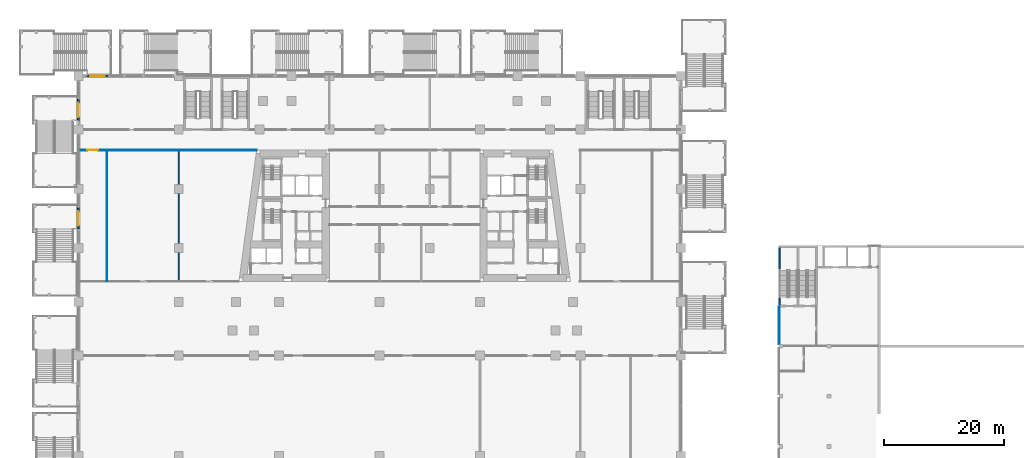
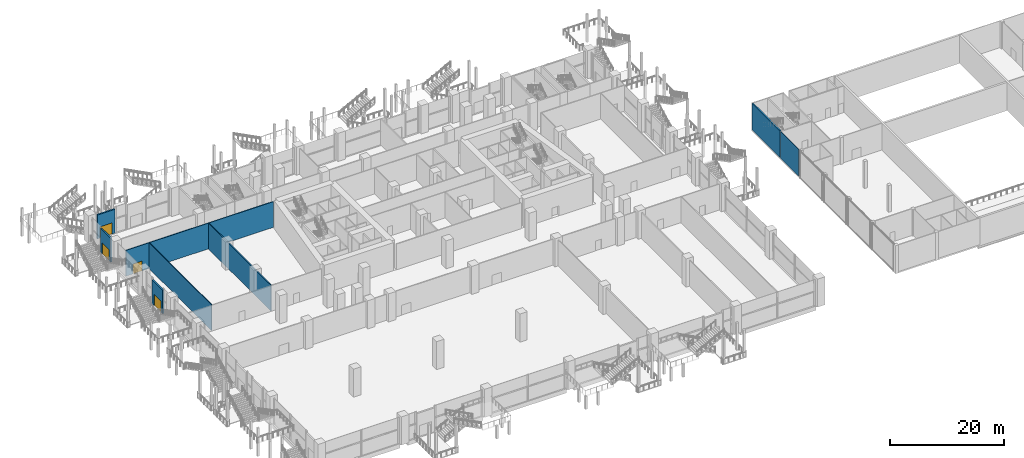
# One storey, part 25 of 49: 8 walls, 4 doors, 4 openings.
"""IFC4 building model written with IfcOpenShell, lengths in metres."""

from ifc_helpers import new_model, si_unit, direction, frame, frame_2d, origin, place, context, subcontext, project, spatial, rectangle, extrude, material, layer, layer_set, type_object, element, fill, save


model = new_model("IFC4")

# Units and contexts
model_context = context("Model", 3, precision=1e-05, world=origin(), true_north=direction((0.0, 1.0)))
body_context = subcontext(model_context, "Body", "Model", "MODEL_VIEW")
ifc_project = project(units=[si_unit("LENGTHUNIT", "METRE"), si_unit("AREAUNIT", "SQUARE_METRE"), si_unit("VOLUMEUNIT", "CUBIC_METRE"), si_unit("PLANEANGLEUNIT", "RADIAN"), si_unit("MASSUNIT", "GRAM", prefix="KILO")], contexts=[model_context])

# Site, building, storey
site_placement = place(None, origin())
site = spatial("IfcSite", under=ifc_project, at=site_placement, CompositionType="ELEMENT")
building_placement = place(site_placement, origin())
building = spatial("IfcBuilding", under=site, at=building_placement, Name="Candeia Pilgrim Tower and Theatre", CompositionType="ELEMENT")
storey_placement = place(building_placement, frame((0.0, 0.0, 17.0)))
storey = spatial("IfcBuildingStorey", under=building, at=storey_placement, Name="L02", CompositionType="ELEMENT", Elevation=17.0)

# Wall, opening, door
ifc_material_1 = material(Name="Ceramic block masonry", Category="masonry")
ifc_layer_1 = layer(ifc_material_1, 0.300048828125)
ifc_layer_set_1 = layer_set([ifc_layer_1], Name="EW2 entrance infill wall 300")
wall_type_1 = type_object("IfcWallType", Name="EW2 entrance infill wall 300", PredefinedType="SOLIDWALL", material=ifc_layer_set_1)
wall_1_placement = place(storey_placement, frame((58.800048828125, 119.14990234375, 0.0), z_axis=(0.0, 0.0, 1.0), x_axis=(0.0, 1.0, 0.0)))
wall_1 = element("IfcWall", 1, at=wall_1_placement, inside=storey, type_object=wall_type_1, Name="Entrance wall L02", PredefinedType="SOLIDWALL", context=body_context, shape_type="SweptSolid", body=[
    extrude(rectangle(XDim=3.60009765625, YDim=0.300048828125, at=frame_2d((1.800048828125, 0.0))), origin(), (0.0, 0.0, 1.0), 5.10009765625),
])
opening_1_placement = place(wall_1_placement, frame((0.60009765625, 0.0, 0.0)))
opening_1 = element("IfcOpeningElement", 2, at=opening_1_placement, cuts=wall_1, Name="Opening L02-ED046", PredefinedType="OPENING", context=body_context, shape_type="SweptSolid", body=[
    extrude(rectangle(XDim=2.39990234375, YDim=2.39990234375, at=frame_2d((1.199951171875, 1.199951171875))), frame((0.0, 0.16015625, 0.0), z_axis=(0.0, -1.0, 0.0), x_axis=(1.0, 0.0, 0.0)), (0.0, 0.0, 1.0), 0.320068359375),
])
ifc_material_2 = material(Name="Aluminium framed glazed door", Category="aluminium")
door_type_1 = type_object("IfcDoorType", Name="ED entrance double door 2400x2400", OperationType="DOUBLE_DOOR_DOUBLE_SWING", PredefinedType="DOOR", material=ifc_material_2)
door_1_placement = place(opening_1_placement, origin())
door_1 = element("IfcDoor", 3, at=door_1_placement, inside=storey, type_object=door_type_1, Name="Entrance door L02-ED046", OperationType="DOUBLE_DOOR_DOUBLE_SWING", OverallHeight=2.39990234375, OverallWidth=2.39990234375, PredefinedType="DOOR", context=body_context, shape_type="SweptSolid", body=[
    extrude(rectangle(XDim=2.39990234375, YDim=2.39990234375, at=frame_2d((1.199951171875, 1.199951171875))), frame((0.0, 0.02490234375, 0.0), z_axis=(0.0, -1.0, 0.0), x_axis=(1.0, 0.0, 0.0)), (0.0, 0.0, 1.0), 0.050048828125),
])
fill(opening_1, door_1)

wall_2_placement = place(storey_placement, frame((58.800048828125, 137.300048828125, 0.0), z_axis=(0.0, 0.0, 1.0), x_axis=(0.0, 1.0, 0.0)))
wall_2 = element("IfcWall", 4, at=wall_2_placement, inside=storey, type_object=wall_type_1, Name="Entrance wall L02", PredefinedType="SOLIDWALL", context=body_context, shape_type="SweptSolid", body=[
    extrude(rectangle(XDim=3.599853515625, YDim=0.300048828125, at=frame_2d((1.7998046875, 0.0))), origin(), (0.0, 0.0, 1.0), 5.10009765625),
])
opening_2_placement = place(wall_2_placement, frame((0.60009765625, 0.0, 0.0)))
opening_2 = element("IfcOpeningElement", 5, at=opening_2_placement, cuts=wall_2, Name="Opening L02-ED047", PredefinedType="OPENING", context=body_context, shape_type="SweptSolid", body=[
    extrude(rectangle(XDim=2.39990234375, YDim=2.39990234375, at=frame_2d((1.199951171875, 1.199951171875))), frame((0.0, 0.16015625, 0.0), z_axis=(0.0, -1.0, 0.0), x_axis=(1.0, 0.0, 0.0)), (0.0, 0.0, 1.0), 0.320068359375),
])
door_2_placement = place(opening_2_placement, origin())
door_2 = element("IfcDoor", 6, at=door_2_placement, inside=storey, type_object=door_type_1, Name="Entrance door L02-ED047", OperationType="DOUBLE_DOOR_DOUBLE_SWING", OverallHeight=2.39990234375, OverallWidth=2.39990234375, PredefinedType="DOOR", context=body_context, shape_type="SweptSolid", body=[
    extrude(rectangle(XDim=2.39990234375, YDim=2.39990234375, at=frame_2d((1.199951171875, 1.199951171875))), frame((0.0, 0.02490234375, 0.0), z_axis=(0.0, -1.0, 0.0), x_axis=(1.0, 0.0, 0.0)), (0.0, 0.0, 1.0), 0.050048828125),
])
fill(opening_2, door_2)

wall_3_placement = place(storey_placement, frame((60.199951171875, 144.800048828125, 0.0), z_axis=(0.0, 0.0, 1.0), x_axis=(1.0, 0.0, 0.0)))
wall_3 = element("IfcWall", 7, at=wall_3_placement, inside=storey, type_object=wall_type_1, Name="Entrance wall L02", PredefinedType="SOLIDWALL", context=body_context, shape_type="SweptSolid", body=[
    extrude(rectangle(XDim=3.60009765625, YDim=0.300048828125, at=frame_2d((1.800048828125, 0.0))), origin(), (0.0, 0.0, 1.0), 5.10009765625),
])
opening_3_placement = place(wall_3_placement, frame((0.60009765625, 0.0, 0.0)))
opening_3 = element("IfcOpeningElement", 8, at=opening_3_placement, cuts=wall_3, Name="Opening L02-ED048", PredefinedType="OPENING", context=body_context, shape_type="SweptSolid", body=[
    extrude(rectangle(XDim=2.39990234375, YDim=2.39990234375, at=frame_2d((1.199951171875, 1.199951171875))), frame((0.0, 0.16015625, 0.0), z_axis=(0.0, -1.0, 0.0), x_axis=(1.0, 0.0, 0.0)), (0.0, 0.0, 1.0), 0.320068359375),
])
door_3_placement = place(opening_3_placement, origin())
door_3 = element("IfcDoor", 9, at=door_3_placement, inside=storey, type_object=door_type_1, Name="Entrance door L02-ED048", OperationType="DOUBLE_DOOR_DOUBLE_SWING", OverallHeight=2.39990234375, OverallWidth=2.39990234375, PredefinedType="DOOR", context=body_context, shape_type="SweptSolid", body=[
    extrude(rectangle(XDim=2.39990234375, YDim=2.39990234375, at=frame_2d((1.199951171875, 1.199951171875))), frame((0.0, 0.02490234375, 0.0), z_axis=(0.0, -1.0, 0.0), x_axis=(1.0, 0.0, 0.0)), (0.0, 0.0, 1.0), 0.050048828125),
])
fill(opening_3, door_3)

ifc_material_3 = material(Name="Gypsum board partition on steel studs", Category="steel")
ifc_layer_2 = layer(ifc_material_3, 0.14990234375)
ifc_layer_set_2 = layer_set([ifc_layer_2], Name="PW-150 unit wall")
wall_type_2 = type_object("IfcWallType", Name="PW-150 unit wall", PredefinedType="PARTITIONING", material=ifc_layer_set_2)
wall_4_placement = place(storey_placement, frame((58.85009765625, 132.39990234375, 0.0), z_axis=(0.0, 0.0, 1.0), x_axis=(1.0, 0.0, 0.0)))
wall_4 = element("IfcWall", 10, at=wall_4_placement, inside=storey, type_object=wall_type_2, Name="Unit wall L02-032", PredefinedType="PARTITIONING", context=body_context, shape_type="SweptSolid", body=[
    extrude(rectangle(XDim=29.781005859375, YDim=0.14990234375, at=frame_2d((14.890625, 0.0))), origin(), (0.0, 0.0, 1.0), 5.5),
])
opening_4_placement = place(wall_4_placement, frame((1.449951171875, 0.0, 0.0)))
opening_4 = element("IfcOpeningElement", 11, at=opening_4_placement, cuts=wall_4, Name="Opening L02-D027", PredefinedType="OPENING", context=body_context, shape_type="SweptSolid", body=[
    extrude(rectangle(XDim=1.800048828125, YDim=2.10009765625, at=frame_2d((0.89990234375, 1.050048828125))), frame((0.0, 0.0849609375, 0.0), z_axis=(0.0, -1.0, 0.0), x_axis=(1.0, 0.0, 0.0)), (0.0, 0.0, 1.0), 0.169921875),
])
ifc_material_4 = material(Name="Steel fire door set", Category="steel")
door_type_2 = type_object("IfcDoorType", Name="D-1800-FD60", OperationType="NOTDEFINED", PredefinedType="DOOR", material=ifc_material_4)
door_4_placement = place(opening_4_placement, origin())
door_4 = element("IfcDoor", 12, at=door_4_placement, inside=storey, type_object=door_type_2, Name="Door L02-D027", OperationType="SINGLE_SWING_LEFT", OverallHeight=2.10009765625, OverallWidth=1.800048828125, PredefinedType="DOOR", context=body_context, shape_type="SweptSolid", body=[
    extrude(rectangle(XDim=1.800048828125, YDim=2.10009765625, at=frame_2d((0.89990234375, 1.050048828125))), frame((0.0, 0.02490234375, 0.0), z_axis=(0.0, -1.0, 0.0), x_axis=(1.0, 0.0, 0.0)), (0.0, 0.0, 1.0), 0.050048828125),
])
fill(opening_4, door_4)

# Walls
wall_5_placement = place(storey_placement, frame((63.60009765625, 110.47509765625, 0.0), z_axis=(0.0, 0.0, 1.0), x_axis=(0.0, 1.0, 0.0)))
element("IfcWall", 13, at=wall_5_placement, inside=storey, type_object=wall_type_2, Name="Unit wall L02-044", PredefinedType="PARTITIONING", context=body_context, shape_type="SweptSolid", body=[
    extrude(rectangle(XDim=21.849853515625, YDim=0.14990234375, at=frame_2d((10.9248046875, 0.0))), origin(), (0.0, 0.0, 1.0), 5.5),
])
ifc_layer_3 = layer(ifc_material_3, 0.199951171875)
ifc_layer_set_3 = layer_set([ifc_layer_3], Name="PW-200 party wall")
wall_type_3 = type_object("IfcWallType", Name="PW-200 party wall", PredefinedType="PARTITIONING", material=ifc_layer_set_3)
wall_6_placement = place(storey_placement, frame((75.60009765625, 110.47509765625, 0.0), z_axis=(0.0, 0.0, 1.0), x_axis=(0.0, 1.0, 0.0)))
element("IfcWall", 14, at=wall_6_placement, inside=storey, type_object=wall_type_3, Name="Party wall L02-045", PredefinedType="PARTITIONING", context=body_context, shape_type="SweptSolid", body=[
    extrude(rectangle(XDim=21.849853515625, YDim=0.199951171875, at=frame_2d((10.9248046875, 0.0))), origin(), (0.0, 0.0, 1.0), 5.5),
])
ifc_material_5 = material(Name="Gypsum board on steel studs", Category="steel")
ifc_layer_4 = layer(ifc_material_5, 0.125)
ifc_layer_set_4 = layer_set([ifc_layer_4], Name="Partition 125")
wall_type_4 = type_object("IfcWallType", Name="Partition 125", PredefinedType="PARTITIONING", material=ifc_layer_set_4)
wall_7_placement = place(storey_placement, frame((176.0625, 99.89990234375, 0.0), z_axis=(0.0, 0.0, 1.0), x_axis=(0.0, 1.0, 0.0)))
element("IfcWall", 15, at=wall_7_placement, inside=storey, type_object=wall_type_4, Name="T-L02-W036", PredefinedType="PARTITIONING", context=body_context, shape_type="SweptSolid", body=[
    extrude(rectangle(XDim=6.275146484375, YDim=0.125, at=frame_2d((3.1376953125, 0.0))), origin(), (0.0, 0.0, 1.0), 5.699951171875),
])
ifc_material_6 = material(Name="Concrete C35/45", Category="concrete")
ifc_layer_5 = layer(ifc_material_6, 0.25)
ifc_layer_set_5 = layer_set([ifc_layer_5], Name="RC wall 250 C35/45")
wall_type_5 = type_object("IfcWallType", Name="RC wall 250 C35/45", PredefinedType="SOLIDWALL", material=ifc_layer_set_5)
wall_8_placement = place(storey_placement, frame((176.125, 106.425048828125, 0.0), z_axis=(0.0, 0.0, 1.0), x_axis=(0.0, 1.0, 0.0)))
element("IfcWall", 16, at=wall_8_placement, inside=storey, type_object=wall_type_5, Name="T-L02-W037", PredefinedType="SOLIDWALL", context=body_context, shape_type="SweptSolid", body=[
    extrude(rectangle(XDim=9.724853515625, YDim=0.25, at=frame_2d((4.8623046875, 0.0))), origin(), (0.0, 0.0, 1.0), 5.699951171875),
])

save(model, "model.ifc")
